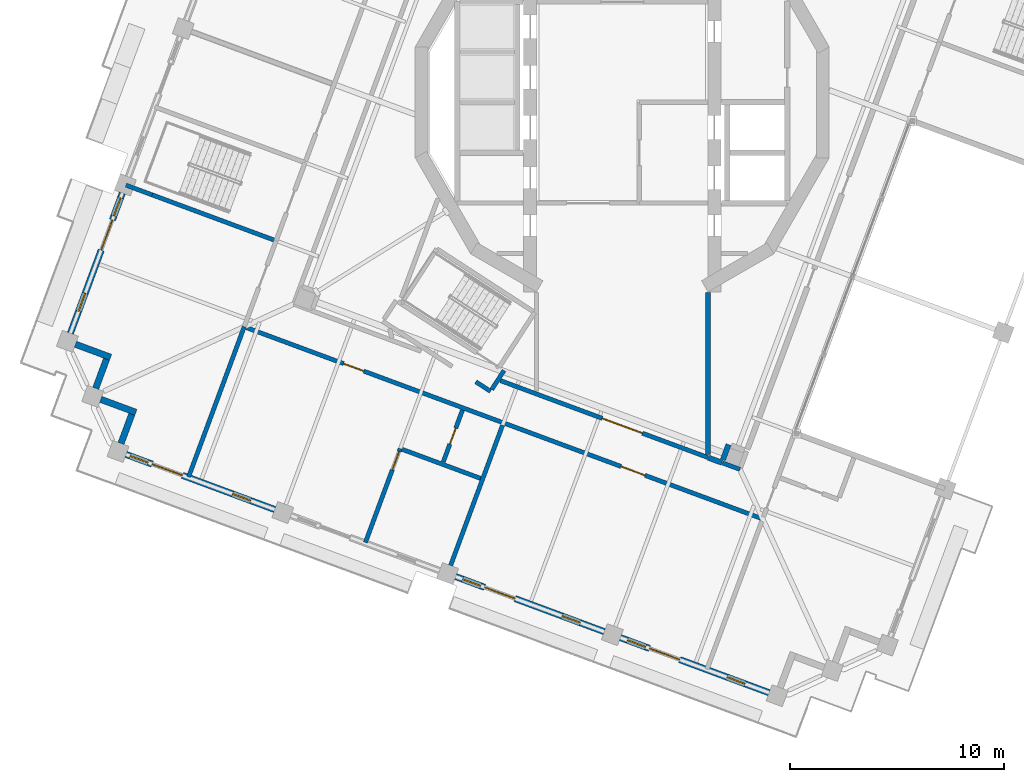
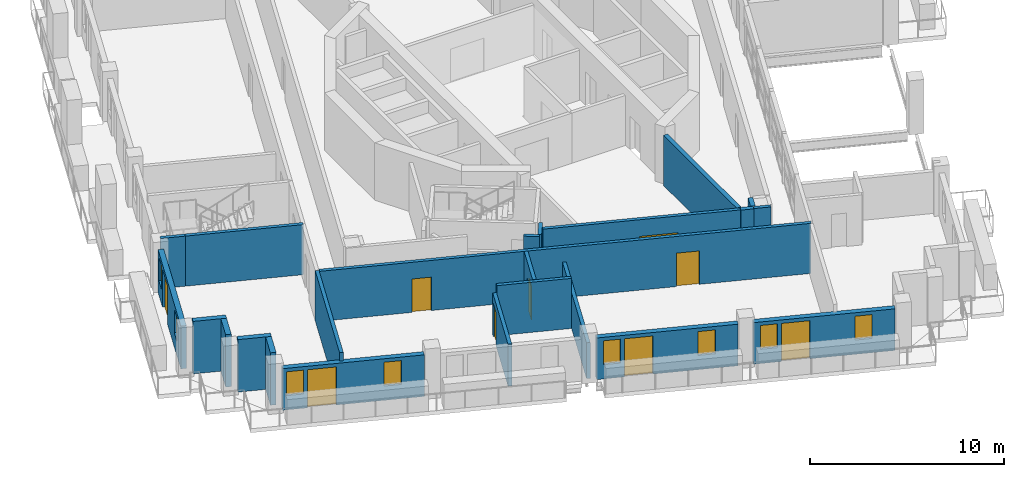
# One storey, part 5 of 19: 23 walls, 9 doors, 8 windows, 17 openings.
"""IFC4 building model written with IfcOpenShell, lengths in metres."""

from ifc_helpers import new_model, si_unit, direction, frame, frame_2d, origin, place, context, subcontext, project, spatial, rectangle, extrude, material, layer, layer_set, type_object, element, fill, save


model = new_model("IFC4")

# Units and contexts
model_context = context("Model", 3, precision=1e-05, world=origin(), true_north=direction((0.0, 1.0)))
body_context = subcontext(model_context, "Body", "Model", "MODEL_VIEW")
ifc_project = project(units=[si_unit("LENGTHUNIT", "METRE"), si_unit("AREAUNIT", "SQUARE_METRE"), si_unit("VOLUMEUNIT", "CUBIC_METRE"), si_unit("PLANEANGLEUNIT", "RADIAN"), si_unit("MASSUNIT", "GRAM", prefix="KILO")], contexts=[model_context])

# Site, building, storey
site_placement = place(None, origin())
site = spatial("IfcSite", under=ifc_project, at=site_placement, CompositionType="ELEMENT")
building_placement = place(site_placement, origin())
building = spatial("IfcBuilding", under=site, at=building_placement, Name="Cantera Rosa Tower", CompositionType="ELEMENT")
storey_placement = place(building_placement, frame((0.0, 0.0, 342.10009765625)))
storey = spatial("IfcBuildingStorey", under=building, at=storey_placement, Name="L77", CompositionType="ELEMENT", Elevation=342.10009765625)

# Wall, openings, doors
ifc_material_1 = material(Name="Gypsum board partition")
ifc_layer_1 = layer(ifc_material_1, 0.199951171875)
ifc_layer_set_1 = layer_set([ifc_layer_1], Name="CORRIDOR WALL 200 H3150")
wall_type_1 = type_object("IfcWallType", Name="CORRIDOR WALL 200 H3150", PredefinedType="PARTITIONING", material=ifc_layer_set_1)
wall_1_placement = place(storey_placement, frame((-17.52587890625, -10.515380859375, 0.0), z_axis=(0.0, 0.0, 1.0), x_axis=(0.937685670384, -0.347484652261, 0.0)))
wall_1 = element("IfcWall", 1, at=wall_1_placement, inside=storey, type_object=wall_type_1, Name="CORRIDOR WALL L77-003", PredefinedType="PARTITIONING", context=body_context, shape_type="SweptSolid", body=[
    extrude(rectangle(XDim=25.679931640625, YDim=0.199951171875, at=frame_2d((12.83984375, 0.0))), origin(), (0.0, 0.0, 1.0), 3.14990234375),
])
opening_1_placement = place(wall_1_placement, frame((18.6298828125, 0.0, 0.0)))
opening_1 = element("IfcOpeningElement", 2, at=opening_1_placement, cuts=wall_1, Name="Opening L77-031", PredefinedType="OPENING", context=body_context, shape_type="SweptSolid", body=[
    extrude(rectangle(XDim=1.199951171875, YDim=2.10009765625, at=frame_2d((0.60009765625, 1.050048828125))), frame((0.0, 0.10986328125, 0.0), z_axis=(0.0, -1.0, 0.0), x_axis=(1.0, 0.0, 0.0)), (0.0, 0.0, 1.0), 0.219970703125),
])
opening_2_placement = place(wall_1_placement, frame((4.830078125, 0.0, 0.0)))
opening_2 = element("IfcOpeningElement", 3, at=opening_2_placement, cuts=wall_1, Name="Opening L77-032", PredefinedType="OPENING", context=body_context, shape_type="SweptSolid", body=[
    extrude(rectangle(XDim=1.0, YDim=2.10009765625, at=frame_2d((0.5, 1.050048828125))), frame((0.0, 0.10986328125, 0.0), z_axis=(0.0, -1.0, 0.0), x_axis=(1.0, 0.0, 0.0)), (0.0, 0.0, 1.0), 0.219970703125),
])
ifc_material_2 = material(Name="Timber door leaf", Category="wood")
door_type_1 = type_object("IfcDoorType", Name="ENTRANCE DOOR 1000x2100", OperationType="NOTDEFINED", PredefinedType="DOOR", material=ifc_material_2)
door_1_placement = place(opening_2_placement, origin())
door_1 = element("IfcDoor", 4, at=door_1_placement, inside=storey, type_object=door_type_1, Name="DOOR L77-032", OperationType="NOTDEFINED", OverallHeight=2.10009765625, OverallWidth=1.0, PredefinedType="DOOR", context=body_context, shape_type="SweptSolid", body=[
    extrude(rectangle(XDim=1.0, YDim=2.10009765625, at=frame_2d((0.5, 1.050048828125))), frame((0.0, 0.02490234375, 0.0), z_axis=(0.0, -1.0, 0.0), x_axis=(1.0, 0.0, 0.0)), (0.0, 0.0, 1.0), 0.050048828125),
])
fill(opening_2, door_1)
ifc_material_3 = material(Name="Timber door leaf", Category="wood")
door_type_2 = type_object("IfcDoorType", Name="ROOM DOOR 1200x2100", OperationType="NOTDEFINED", PredefinedType="DOOR", material=ifc_material_3)
door_2_placement = place(opening_1_placement, origin())
door_2 = element("IfcDoor", 5, at=door_2_placement, inside=storey, type_object=door_type_2, Name="DOOR L77-031", OperationType="NOTDEFINED", OverallHeight=2.10009765625, OverallWidth=1.199951171875, PredefinedType="DOOR", context=body_context, shape_type="SweptSolid", body=[
    extrude(rectangle(XDim=1.199951171875, YDim=2.10009765625, at=frame_2d((0.60009765625, 1.050048828125))), frame((0.0, 0.02490234375, 0.0), z_axis=(0.0, -1.0, 0.0), x_axis=(1.0, 0.0, 0.0)), (0.0, 0.0, 1.0), 0.050048828125),
])
fill(opening_1, door_2)

# Walls
wall_2_placement = place(storey_placement, frame((-6.83251953125, -13.038330078125, 0.0), z_axis=(0.0, 0.0, 1.0), x_axis=(0.838593374038, -0.54475788477, 0.0)))
element("IfcWall", 6, at=wall_2_placement, inside=storey, type_object=wall_type_1, Name="CORRIDOR WALL L77-014", PredefinedType="PARTITIONING", context=body_context, shape_type="SweptSolid", body=[
    extrude(rectangle(XDim=0.8193359375, YDim=0.199951171875, at=frame_2d((0.40966796875, 0.0))), origin(), (0.0, 0.0, 1.0), 3.14990234375),
])
wall_3_placement = place(storey_placement, frame((-6.091064453125, -13.400634765625, 0.0), z_axis=(0.0, 0.0, 1.0), x_axis=(0.544599121385, 0.838696486809, 0.0)))
element("IfcWall", 7, at=wall_3_placement, inside=storey, type_object=wall_type_1, Name="CORRIDOR WALL L77-033", PredefinedType="PARTITIONING", context=body_context, shape_type="SweptSolid", body=[
    extrude(rectangle(XDim=1.058349609375, YDim=0.199951171875, at=frame_2d((0.529296875, 0.0))), origin(), (0.0, 0.0, 1.0), 3.14990234375),
])

# Wall, opening, door
wall_4_placement = place(storey_placement, frame((-5.681396484375, -12.98486328125, 0.0), z_axis=(0.0, 0.0, 1.0), x_axis=(0.937687420186, -0.347479930391, 0.0)))
wall_4 = element("IfcWall", 8, at=wall_4_placement, inside=storey, type_object=wall_type_1, Name="CORRIDOR WALL L77-036", PredefinedType="PARTITIONING", context=body_context, shape_type="SweptSolid", body=[
    extrude(rectangle(XDim=10.32470703125, YDim=0.199951171875, at=frame_2d((5.162353515625, 0.0))), origin(), (0.0, 0.0, 1.0), 3.14990234375),
])
opening_3_placement = place(wall_4_placement, frame((5.05908203125, 0.0, 0.0)))
opening_3 = element("IfcOpeningElement", 9, at=opening_3_placement, cuts=wall_4, Name="Opening L77-011", PredefinedType="OPENING", context=body_context, shape_type="SweptSolid", body=[
    extrude(rectangle(XDim=2.0, YDim=2.10009765625, at=frame_2d((1.0, 1.050048828125))), frame((0.0, 0.10986328125, 0.0), z_axis=(0.0, -1.0, 0.0), x_axis=(1.0, 0.0, 0.0)), (0.0, 0.0, 1.0), 0.219970703125),
])
ifc_material_4 = material(Name="Steel S355J2 (EN 10025-2)", Category="steel")
door_type_3 = type_object("IfcDoorType", Name="LOBBY SCREEN DOOR 2000x2100", OperationType="NOTDEFINED", PredefinedType="DOOR", material=ifc_material_4)
door_3_placement = place(opening_3_placement, origin())
door_3 = element("IfcDoor", 10, at=door_3_placement, inside=storey, type_object=door_type_3, Name="DOOR L77-011", OperationType="NOTDEFINED", OverallHeight=2.10009765625, OverallWidth=2.0, PredefinedType="DOOR", context=body_context, shape_type="SweptSolid", body=[
    extrude(rectangle(XDim=2.0, YDim=2.10009765625, at=frame_2d((1.0, 1.050048828125))), frame((0.0, 0.02490234375, 0.0), z_axis=(0.0, -1.0, 0.0), x_axis=(1.0, 0.0, 0.0)), (0.0, 0.0, 1.0), 0.050048828125),
])
fill(opening_3, door_3)

# Walls
wall_5_placement = place(storey_placement, frame((4.666259765625, -16.819580078125, 0.0), z_axis=(0.0, 0.0, 1.0), x_axis=(0.937735373465, -0.347350499283, 0.0)))
element("IfcWall", 11, at=wall_5_placement, inside=storey, type_object=wall_type_1, Name="CORRIDOR WALL L77-062", PredefinedType="PARTITIONING", context=body_context, shape_type="SweptSolid", body=[
    extrude(rectangle(XDim=0.8798828125, YDim=0.199951171875, at=frame_2d((0.43994140625, 0.0))), origin(), (0.0, 0.0, 1.0), 3.14990234375),
])
ifc_material_5 = material(Name="Hollow clay masonry with cantera stone cladding", Category="masonry")
ifc_layer_2 = layer(ifc_material_5, 0.300048828125)
ifc_layer_set_2 = layer_set([ifc_layer_2], Name="EW-LOGGIA 300")
wall_type_2 = type_object("IfcWallType", Name="EW-LOGGIA 300", PredefinedType="SOLIDWALL", material=ifc_layer_set_2)
wall_6_placement = place(storey_placement, frame((-25.51220703125, -11.288330078125, 0.0), z_axis=(0.0, 0.0, 1.0), x_axis=(0.937669639538, -0.34752790836, 0.0)))
element("IfcWall", 12, at=wall_6_placement, inside=storey, type_object=wall_type_2, Name="EN-L77-W12a", PredefinedType="SOLIDWALL", context=body_context, shape_type="SweptSolid", body=[
    extrude(rectangle(XDim=1.75, YDim=0.300048828125, at=frame_2d((0.875, 0.0))), origin(), (0.0, 0.0, 1.0), 3.2998046875),
])
wall_7_placement = place(storey_placement, frame((-24.06396484375, -11.985107421875, 0.0), z_axis=(0.0, 0.0, 1.0), x_axis=(-0.347522732201, -0.937671557958, 0.0)))
element("IfcWall", 13, at=wall_7_placement, inside=storey, type_object=wall_type_2, Name="EN-L77-W12b", PredefinedType="SOLIDWALL", context=body_context, shape_type="SweptSolid", body=[
    extrude(rectangle(XDim=1.449951171875, YDim=0.300048828125, at=frame_2d((0.72509765625, 0.0))), origin(), (0.0, 0.0, 1.0), 3.2998046875),
])
wall_8_placement = place(storey_placement, frame((-24.331787109375, -13.858642578125, 0.0), z_axis=(0.0, 0.0, 1.0), x_axis=(0.937669639538, -0.34752790836, 0.0)))
element("IfcWall", 14, at=wall_8_placement, inside=storey, type_object=wall_type_2, Name="EN-L77-W13a", PredefinedType="SOLIDWALL", context=body_context, shape_type="SweptSolid", body=[
    extrude(rectangle(XDim=1.75, YDim=0.300048828125, at=frame_2d((0.875, 0.0))), origin(), (0.0, 0.0, 1.0), 3.2998046875),
])
wall_9_placement = place(storey_placement, frame((-22.883544921875, -14.555419921875, 0.0), z_axis=(0.0, 0.0, 1.0), x_axis=(-0.347522732201, -0.937671557958, 0.0)))
element("IfcWall", 15, at=wall_9_placement, inside=storey, type_object=wall_type_2, Name="EN-L77-W13b", PredefinedType="SOLIDWALL", context=body_context, shape_type="SweptSolid", body=[
    extrude(rectangle(XDim=1.449951171875, YDim=0.300048828125, at=frame_2d((0.72509765625, 0.0))), origin(), (0.0, 0.0, 1.0), 3.2998046875),
])

# Wall, openings, windows, door
ifc_material_6 = material(Name="Hollow clay masonry with cantera stone cladding", Category="masonry")
ifc_layer_3 = layer(ifc_material_6, 0.300048828125)
ifc_layer_set_3 = layer_set([ifc_layer_3], Name="EW-LOGGIA 300 H2620")
wall_type_3 = type_object("IfcWallType", Name="EW-LOGGIA 300 H2620", PredefinedType="SOLIDWALL", material=ifc_layer_set_3)
wall_10_placement = place(storey_placement, frame((-23.1513671875, -16.428955078125, 0.0), z_axis=(0.0, 0.0, 1.0), x_axis=(0.937676706507, -0.347508840281, 0.0)))
wall_10 = element("IfcWall", 16, at=wall_10_placement, inside=storey, type_object=wall_type_3, Name="EN-L77-W14", PredefinedType="SOLIDWALL", context=body_context, shape_type="SweptSolid", body=[
    extrude(rectangle(XDim=7.39990234375, YDim=0.300048828125, at=frame_2d((3.699951171875, 0.0))), origin(), (0.0, 0.0, 1.0), 2.619873046875),
])
opening_4_placement = place(wall_10_placement, frame((0.199951171875, 0.0, 0.89990234375)))
opening_4 = element("IfcOpeningElement", 17, at=opening_4_placement, cuts=wall_10, Name="Opening L77-W28", PredefinedType="OPENING", context=body_context, shape_type="SweptSolid", body=[
    extrude(rectangle(XDim=0.89990234375, YDim=1.5, at=frame_2d((0.449951171875, 0.75))), frame((0.0, 0.159912109375, 0.0), z_axis=(0.0, -1.0, 0.0), x_axis=(1.0, 0.0, 0.0)), (0.0, 0.0, 1.0), 0.320068359375),
])
opening_5_placement = place(wall_10_placement, frame((1.300048828125, 0.0, 0.0)))
opening_5 = element("IfcOpeningElement", 18, at=opening_5_placement, cuts=wall_10, Name="Opening L77-TD29", PredefinedType="OPENING", context=body_context, shape_type="SweptSolid", body=[
    extrude(rectangle(XDim=1.5, YDim=2.39990234375, at=frame_2d((0.75, 1.199951171875))), frame((0.0, 0.159912109375, 0.0), z_axis=(0.0, -1.0, 0.0), x_axis=(1.0, 0.0, 0.0)), (0.0, 0.0, 1.0), 0.320068359375),
])
opening_6_placement = place(wall_10_placement, frame((5.300048828125, 0.0, 0.89990234375)))
opening_6 = element("IfcOpeningElement", 19, at=opening_6_placement, cuts=wall_10, Name="Opening L77-W30", PredefinedType="OPENING", context=body_context, shape_type="SweptSolid", body=[
    extrude(rectangle(XDim=0.89990234375, YDim=1.5, at=frame_2d((0.449951171875, 0.75))), frame((0.0, 0.159912109375, 0.0), z_axis=(0.0, -1.0, 0.0), x_axis=(1.0, 0.0, 0.0)), (0.0, 0.0, 1.0), 0.320068359375),
])
ifc_material_7 = material(Name="Aluminium frame with clear glass", Category="aluminium")
window_type = type_object("IfcWindowType", Name="Residential window 900x1500", PartitioningType="SINGLE_PANEL", PredefinedType="WINDOW", material=ifc_material_7)
window_1_placement = place(opening_4_placement, origin())
window_1 = element("IfcWindow", 20, at=window_1_placement, inside=storey, type_object=window_type, Name="WINDOW L77-W28", OverallHeight=1.5, OverallWidth=0.89990234375, PartitioningType="SINGLE_PANEL", PredefinedType="WINDOW", context=body_context, shape_type="SweptSolid", body=[
    extrude(rectangle(XDim=0.89990234375, YDim=1.5, at=frame_2d((0.449951171875, 0.75))), frame((0.0, 0.030029296875, 0.0), z_axis=(0.0, -1.0, 0.0), x_axis=(1.0, 0.0, 0.0)), (0.0, 0.0, 1.0), 0.06005859375),
])
fill(opening_4, window_1)
window_2_placement = place(opening_6_placement, origin())
window_2 = element("IfcWindow", 21, at=window_2_placement, inside=storey, type_object=window_type, Name="WINDOW L77-W30", OverallHeight=1.5, OverallWidth=0.89990234375, PartitioningType="SINGLE_PANEL", PredefinedType="WINDOW", context=body_context, shape_type="SweptSolid", body=[
    extrude(rectangle(XDim=0.89990234375, YDim=1.5, at=frame_2d((0.449951171875, 0.75))), frame((0.0, 0.030029296875, 0.0), z_axis=(0.0, -1.0, 0.0), x_axis=(1.0, 0.0, 0.0)), (0.0, 0.0, 1.0), 0.06005859375),
])
fill(opening_6, window_2)
ifc_material_8 = material(Name="Aluminium frame with clear glass", Category="aluminium")
door_type_4 = type_object("IfcDoorType", Name="TD-R 1500x2400", OperationType="NOTDEFINED", PredefinedType="DOOR", material=ifc_material_8)
door_4_placement = place(opening_5_placement, origin())
door_4 = element("IfcDoor", 22, at=door_4_placement, inside=storey, type_object=door_type_4, Name="LOGGIA DOOR L77-TD29", OperationType="SLIDING_TO_LEFT", OverallHeight=2.39990234375, OverallWidth=1.5, PredefinedType="DOOR", context=body_context, shape_type="SweptSolid", body=[
    extrude(rectangle(XDim=1.5, YDim=2.39990234375, at=frame_2d((0.75, 1.199951171875))), frame((0.0, 0.02490234375, 0.0), z_axis=(0.0, -1.0, 0.0), x_axis=(1.0, 0.0, 0.0)), (0.0, 0.0, 1.0), 0.050048828125),
])
fill(opening_5, door_4)

wall_11_placement = place(storey_placement, frame((-7.7734375, -22.127685546875, 0.0), z_axis=(0.0, 0.0, 1.0), x_axis=(0.937680690562, -0.34749808999, 0.0)))
wall_11 = element("IfcWall", 23, at=wall_11_placement, inside=storey, type_object=wall_type_3, Name="EN-L77-W16", PredefinedType="SOLIDWALL", context=body_context, shape_type="SweptSolid", body=[
    extrude(rectangle(XDim=7.400146484375, YDim=0.300048828125, at=frame_2d((3.7001953125, 0.0))), origin(), (0.0, 0.0, 1.0), 2.619873046875),
])
opening_7_placement = place(wall_11_placement, frame((0.35009765625, 0.0, 0.89990234375)))
opening_7 = element("IfcOpeningElement", 24, at=opening_7_placement, cuts=wall_11, Name="Opening L77-W34", PredefinedType="OPENING", context=body_context, shape_type="SweptSolid", body=[
    extrude(rectangle(XDim=0.89990234375, YDim=1.5, at=frame_2d((0.449951171875, 0.75))), frame((0.0, 0.159912109375, 0.0), z_axis=(0.0, -1.0, 0.0), x_axis=(1.0, 0.0, 0.0)), (0.0, 0.0, 1.0), 0.320068359375),
])
opening_8_placement = place(wall_11_placement, frame((1.449951171875, 0.0, 0.0)))
opening_8 = element("IfcOpeningElement", 25, at=opening_8_placement, cuts=wall_11, Name="Opening L77-TD35", PredefinedType="OPENING", context=body_context, shape_type="SweptSolid", body=[
    extrude(rectangle(XDim=1.5, YDim=2.39990234375, at=frame_2d((0.75, 1.199951171875))), frame((0.0, 0.159912109375, 0.0), z_axis=(0.0, -1.0, 0.0), x_axis=(1.0, 0.0, 0.0)), (0.0, 0.0, 1.0), 0.320068359375),
])
opening_9_placement = place(wall_11_placement, frame((5.300048828125, 0.0, 0.89990234375)))
opening_9 = element("IfcOpeningElement", 26, at=opening_9_placement, cuts=wall_11, Name="Opening L77-W36", PredefinedType="OPENING", context=body_context, shape_type="SweptSolid", body=[
    extrude(rectangle(XDim=0.89990234375, YDim=1.5, at=frame_2d((0.449951171875, 0.75))), frame((0.0, 0.159912109375, 0.0), z_axis=(0.0, -1.0, 0.0), x_axis=(1.0, 0.0, 0.0)), (0.0, 0.0, 1.0), 0.320068359375),
])
window_3_placement = place(opening_7_placement, origin())
window_3 = element("IfcWindow", 27, at=window_3_placement, inside=storey, type_object=window_type, Name="WINDOW L77-W34", OverallHeight=1.5, OverallWidth=0.89990234375, PartitioningType="SINGLE_PANEL", PredefinedType="WINDOW", context=body_context, shape_type="SweptSolid", body=[
    extrude(rectangle(XDim=0.89990234375, YDim=1.5, at=frame_2d((0.449951171875, 0.75))), frame((0.0, 0.030029296875, 0.0), z_axis=(0.0, -1.0, 0.0), x_axis=(1.0, 0.0, 0.0)), (0.0, 0.0, 1.0), 0.06005859375),
])
fill(opening_7, window_3)
window_4_placement = place(opening_9_placement, origin())
window_4 = element("IfcWindow", 28, at=window_4_placement, inside=storey, type_object=window_type, Name="WINDOW L77-W36", OverallHeight=1.5, OverallWidth=0.89990234375, PartitioningType="SINGLE_PANEL", PredefinedType="WINDOW", context=body_context, shape_type="SweptSolid", body=[
    extrude(rectangle(XDim=0.89990234375, YDim=1.5, at=frame_2d((0.449951171875, 0.75))), frame((0.0, 0.030029296875, 0.0), z_axis=(0.0, -1.0, 0.0), x_axis=(1.0, 0.0, 0.0)), (0.0, 0.0, 1.0), 0.06005859375),
])
fill(opening_9, window_4)
door_5_placement = place(opening_8_placement, origin())
door_5 = element("IfcDoor", 29, at=door_5_placement, inside=storey, type_object=door_type_4, Name="LOGGIA DOOR L77-TD35", OperationType="SLIDING_TO_LEFT", OverallHeight=2.39990234375, OverallWidth=1.5, PredefinedType="DOOR", context=body_context, shape_type="SweptSolid", body=[
    extrude(rectangle(XDim=1.5, YDim=2.39990234375, at=frame_2d((0.75, 1.199951171875))), frame((0.0, 0.02490234375, 0.0), z_axis=(0.0, -1.0, 0.0), x_axis=(1.0, 0.0, 0.0)), (0.0, 0.0, 1.0), 0.050048828125),
])
fill(opening_8, door_5)

wall_12_placement = place(storey_placement, frame((-0.084228515625, -24.97705078125, 0.0), z_axis=(0.0, 0.0, 1.0), x_axis=(0.937687456783, -0.347479831633, 0.0)))
wall_12 = element("IfcWall", 30, at=wall_12_placement, inside=storey, type_object=wall_type_3, Name="EN-L77-W17", PredefinedType="SOLIDWALL", context=body_context, shape_type="SweptSolid", body=[
    extrude(rectangle(XDim=7.39990234375, YDim=0.300048828125, at=frame_2d((3.699951171875, 0.0))), origin(), (0.0, 0.0, 1.0), 2.619873046875),
])
opening_10_placement = place(wall_12_placement, frame((0.35009765625, 0.0, 0.89990234375)))
opening_10 = element("IfcOpeningElement", 31, at=opening_10_placement, cuts=wall_12, Name="Opening L77-W37", PredefinedType="OPENING", context=body_context, shape_type="SweptSolid", body=[
    extrude(rectangle(XDim=0.89990234375, YDim=1.5, at=frame_2d((0.449951171875, 0.75))), frame((0.0, 0.159912109375, 0.0), z_axis=(0.0, -1.0, 0.0), x_axis=(1.0, 0.0, 0.0)), (0.0, 0.0, 1.0), 0.320068359375),
])
opening_11_placement = place(wall_12_placement, frame((1.449951171875, 0.0, 0.0)))
opening_11 = element("IfcOpeningElement", 32, at=opening_11_placement, cuts=wall_12, Name="Opening L77-TD38", PredefinedType="OPENING", context=body_context, shape_type="SweptSolid", body=[
    extrude(rectangle(XDim=1.5, YDim=2.39990234375, at=frame_2d((0.75, 1.199951171875))), frame((0.0, 0.159912109375, 0.0), z_axis=(0.0, -1.0, 0.0), x_axis=(1.0, 0.0, 0.0)), (0.0, 0.0, 1.0), 0.320068359375),
])
opening_12_placement = place(wall_12_placement, frame((5.300048828125, 0.0, 0.89990234375)))
opening_12 = element("IfcOpeningElement", 33, at=opening_12_placement, cuts=wall_12, Name="Opening L77-W39", PredefinedType="OPENING", context=body_context, shape_type="SweptSolid", body=[
    extrude(rectangle(XDim=0.89990234375, YDim=1.5, at=frame_2d((0.449951171875, 0.75))), frame((0.0, 0.159912109375, 0.0), z_axis=(0.0, -1.0, 0.0), x_axis=(1.0, 0.0, 0.0)), (0.0, 0.0, 1.0), 0.320068359375),
])
window_5_placement = place(opening_10_placement, origin())
window_5 = element("IfcWindow", 34, at=window_5_placement, inside=storey, type_object=window_type, Name="WINDOW L77-W37", OverallHeight=1.5, OverallWidth=0.89990234375, PartitioningType="SINGLE_PANEL", PredefinedType="WINDOW", context=body_context, shape_type="SweptSolid", body=[
    extrude(rectangle(XDim=0.89990234375, YDim=1.5, at=frame_2d((0.449951171875, 0.75))), frame((0.0, 0.030029296875, 0.0), z_axis=(0.0, -1.0, 0.0), x_axis=(1.0, 0.0, 0.0)), (0.0, 0.0, 1.0), 0.06005859375),
])
fill(opening_10, window_5)
window_6_placement = place(opening_12_placement, origin())
window_6 = element("IfcWindow", 35, at=window_6_placement, inside=storey, type_object=window_type, Name="WINDOW L77-W39", OverallHeight=1.5, OverallWidth=0.89990234375, PartitioningType="SINGLE_PANEL", PredefinedType="WINDOW", context=body_context, shape_type="SweptSolid", body=[
    extrude(rectangle(XDim=0.89990234375, YDim=1.5, at=frame_2d((0.449951171875, 0.75))), frame((0.0, 0.030029296875, 0.0), z_axis=(0.0, -1.0, 0.0), x_axis=(1.0, 0.0, 0.0)), (0.0, 0.0, 1.0), 0.06005859375),
])
fill(opening_12, window_6)
door_6_placement = place(opening_11_placement, origin())
door_6 = element("IfcDoor", 36, at=door_6_placement, inside=storey, type_object=door_type_4, Name="LOGGIA DOOR L77-TD38", OperationType="SLIDING_TO_LEFT", OverallHeight=2.39990234375, OverallWidth=1.5, PredefinedType="DOOR", context=body_context, shape_type="SweptSolid", body=[
    extrude(rectangle(XDim=1.5, YDim=2.39990234375, at=frame_2d((0.75, 1.199951171875))), frame((0.0, 0.02490234375, 0.0), z_axis=(0.0, -1.0, 0.0), x_axis=(1.0, 0.0, 0.0)), (0.0, 0.0, 1.0), 0.050048828125),
])
fill(opening_11, door_6)

ifc_material_9 = material(Name="Hollow clay masonry with cantera stone cladding", Category="masonry")
ifc_layer_4 = layer(ifc_material_9, 0.300048828125)
ifc_layer_set_4 = layer_set([ifc_layer_4], Name="EW-LOGGIA 300 H2690")
wall_type_4 = type_object("IfcWallType", Name="EW-LOGGIA 300 H2690", PredefinedType="SOLIDWALL", material=ifc_layer_set_4)
wall_13_placement = place(storey_placement, frame((-23.322998046875, -4.229248046875, 0.0), z_axis=(0.0, 0.0, 1.0), x_axis=(-0.347460165909, -0.937694744097, 0.0)))
wall_13 = element("IfcWall", 37, at=wall_13_placement, inside=storey, type_object=wall_type_4, Name="EN-L77-W11", PredefinedType="SOLIDWALL", context=body_context, shape_type="SweptSolid", body=[
    extrude(rectangle(XDim=6.97998046875, YDim=0.300048828125, at=frame_2d((3.489990234375, 0.0))), origin(), (0.0, 0.0, 1.0), 2.68994140625),
])
opening_13_placement = place(wall_13_placement, frame((0.2451171875, 0.0, 0.89990234375)))
opening_13 = element("IfcOpeningElement", 38, at=opening_13_placement, cuts=wall_13, Name="Opening L77-W25", PredefinedType="OPENING", context=body_context, shape_type="SweptSolid", body=[
    extrude(rectangle(XDim=0.89990234375, YDim=1.5, at=frame_2d((0.449951171875, 0.75))), frame((0.0, 0.159912109375, 0.0), z_axis=(0.0, -1.0, 0.0), x_axis=(1.0, 0.0, 0.0)), (0.0, 0.0, 1.0), 0.320068359375),
])
opening_14_placement = place(wall_13_placement, frame((1.344970703125, 0.0, 0.0)))
opening_14 = element("IfcOpeningElement", 39, at=opening_14_placement, cuts=wall_13, Name="Opening L77-TD26", PredefinedType="OPENING", context=body_context, shape_type="SweptSolid", body=[
    extrude(rectangle(XDim=1.5, YDim=2.39990234375, at=frame_2d((0.75, 1.199951171875))), frame((0.0, 0.159912109375, 0.0), z_axis=(0.0, -1.0, 0.0), x_axis=(1.0, 0.0, 0.0)), (0.0, 0.0, 1.0), 0.320068359375),
])
opening_15_placement = place(wall_13_placement, frame((4.985107421875, 0.0, 0.89990234375)))
opening_15 = element("IfcOpeningElement", 40, at=opening_15_placement, cuts=wall_13, Name="Opening L77-W27", PredefinedType="OPENING", context=body_context, shape_type="SweptSolid", body=[
    extrude(rectangle(XDim=0.89990234375, YDim=1.5, at=frame_2d((0.449951171875, 0.75))), frame((0.0, 0.159912109375, 0.0), z_axis=(0.0, -1.0, 0.0), x_axis=(1.0, 0.0, 0.0)), (0.0, 0.0, 1.0), 0.320068359375),
])
window_7_placement = place(opening_13_placement, origin())
window_7 = element("IfcWindow", 41, at=window_7_placement, inside=storey, type_object=window_type, Name="WINDOW L77-W25", OverallHeight=1.5, OverallWidth=0.89990234375, PartitioningType="SINGLE_PANEL", PredefinedType="WINDOW", context=body_context, shape_type="SweptSolid", body=[
    extrude(rectangle(XDim=0.89990234375, YDim=1.5, at=frame_2d((0.449951171875, 0.75))), frame((0.0, 0.030029296875, 0.0), z_axis=(0.0, -1.0, 0.0), x_axis=(1.0, 0.0, 0.0)), (0.0, 0.0, 1.0), 0.06005859375),
])
fill(opening_13, window_7)
window_8_placement = place(opening_15_placement, origin())
window_8 = element("IfcWindow", 42, at=window_8_placement, inside=storey, type_object=window_type, Name="WINDOW L77-W27", OverallHeight=1.5, OverallWidth=0.89990234375, PartitioningType="SINGLE_PANEL", PredefinedType="WINDOW", context=body_context, shape_type="SweptSolid", body=[
    extrude(rectangle(XDim=0.89990234375, YDim=1.5, at=frame_2d((0.449951171875, 0.75))), frame((0.0, 0.030029296875, 0.0), z_axis=(0.0, -1.0, 0.0), x_axis=(1.0, 0.0, 0.0)), (0.0, 0.0, 1.0), 0.06005859375),
])
fill(opening_15, window_8)
door_7_placement = place(opening_14_placement, origin())
door_7 = element("IfcDoor", 43, at=door_7_placement, inside=storey, type_object=door_type_4, Name="LOGGIA DOOR L77-TD26", OperationType="SLIDING_TO_LEFT", OverallHeight=2.39990234375, OverallWidth=1.5, PredefinedType="DOOR", context=body_context, shape_type="SweptSolid", body=[
    extrude(rectangle(XDim=1.5, YDim=2.39990234375, at=frame_2d((0.75, 1.199951171875))), frame((0.0, 0.02490234375, 0.0), z_axis=(0.0, -1.0, 0.0), x_axis=(1.0, 0.0, 0.0)), (0.0, 0.0, 1.0), 0.050048828125),
])
fill(opening_14, door_7)

# Wall, opening, door
ifc_material_10 = material(Name="Gypsum board partition")
ifc_layer_5 = layer(ifc_material_10, 0.199951171875)
ifc_layer_set_5 = layer_set([ifc_layer_5], Name="PARTITION 200 H2650")
wall_type_5 = type_object("IfcWallType", Name="PARTITION 200 H2650", PredefinedType="PARTITIONING", material=ifc_layer_set_5)
wall_14_placement = place(storey_placement, frame((-11.982421875, -20.535888671875, 0.0), z_axis=(0.0, 0.0, 1.0), x_axis=(0.347453975961, 0.937697037741, 0.0)))
wall_14 = element("IfcWall", 44, at=wall_14_placement, inside=storey, type_object=wall_type_5, Name="PARTITION L77-012", PredefinedType="PARTITIONING", context=body_context, shape_type="SweptSolid", body=[
    extrude(rectangle(XDim=4.669921875, YDim=0.199951171875, at=frame_2d((2.3349609375, 0.0))), origin(), (0.0, 0.0, 1.0), 2.64990234375),
])
opening_16_placement = place(wall_14_placement, frame((3.6201171875, 0.0, 0.0)))
opening_16 = element("IfcOpeningElement", 45, at=opening_16_placement, cuts=wall_14, Name="Opening L77-034", PredefinedType="OPENING", context=body_context, shape_type="SweptSolid", body=[
    extrude(rectangle(XDim=0.89990234375, YDim=2.10009765625, at=frame_2d((0.449951171875, 1.050048828125))), frame((0.0, 0.10986328125, 0.0), z_axis=(0.0, -1.0, 0.0), x_axis=(1.0, 0.0, 0.0)), (0.0, 0.0, 1.0), 0.219970703125),
])
ifc_material_11 = material(Name="Timber door leaf", Category="wood")
door_type_5 = type_object("IfcDoorType", Name="ROOM DOOR 900x2100", OperationType="NOTDEFINED", PredefinedType="DOOR", material=ifc_material_11)
door_8_placement = place(opening_16_placement, origin())
door_8 = element("IfcDoor", 46, at=door_8_placement, inside=storey, type_object=door_type_5, Name="DOOR L77-034", OperationType="NOTDEFINED", OverallHeight=2.10009765625, OverallWidth=0.89990234375, PredefinedType="DOOR", context=body_context, shape_type="SweptSolid", body=[
    extrude(rectangle(XDim=0.89990234375, YDim=2.10009765625, at=frame_2d((0.449951171875, 1.050048828125))), frame((0.0, 0.02490234375, 0.0), z_axis=(0.0, -1.0, 0.0), x_axis=(1.0, 0.0, 0.0)), (0.0, 0.0, 1.0), 0.050048828125),
])
fill(opening_16, door_8)

# Wall
ifc_material_12 = material(Name="Gypsum board partition")
ifc_layer_6 = layer(ifc_material_12, 0.199951171875)
ifc_layer_set_6 = layer_set([ifc_layer_6], Name="PARTITION 200 H3150")
wall_type_6 = type_object("IfcWallType", Name="PARTITION 200 H3150", PredefinedType="PARTITIONING", material=ifc_layer_set_6)
wall_15_placement = place(storey_placement, frame((-10.26611328125, -16.191650390625, 0.0), z_axis=(0.0, 0.0, 1.0), x_axis=(0.93769060639, -0.347471332181, 0.0)))
element("IfcWall", 47, at=wall_15_placement, inside=storey, type_object=wall_type_6, Name="PARTITION L77-019", PredefinedType="PARTITIONING", context=body_context, shape_type="SweptSolid", body=[
    extrude(rectangle(XDim=3.900146484375, YDim=0.199951171875, at=frame_2d((1.9501953125, 0.0))), origin(), (0.0, 0.0, 1.0), 3.14990234375),
])

# Wall, opening, door
wall_16_placement = place(storey_placement, frame((-8.348876953125, -16.774169921875, 0.0), z_axis=(0.0, 0.0, 1.0), x_axis=(0.34748078016, 0.937687105286, 0.0)))
wall_16 = element("IfcWall", 48, at=wall_16_placement, inside=storey, type_object=wall_type_6, Name="PARTITION L77-024", PredefinedType="PARTITIONING", context=body_context, shape_type="SweptSolid", body=[
    extrude(rectangle(XDim=2.579833984375, YDim=0.199951171875, at=frame_2d((1.2900390625, 0.0))), origin(), (0.0, 0.0, 1.0), 3.14990234375),
])
opening_17_placement = place(wall_16_placement, frame((0.8798828125, 0.0, 0.0)))
opening_17 = element("IfcOpeningElement", 49, at=opening_17_placement, cuts=wall_16, Name="Opening L77-033", PredefinedType="OPENING", context=body_context, shape_type="SweptSolid", body=[
    extrude(rectangle(XDim=0.800048828125, YDim=2.10009765625, at=frame_2d((0.39990234375, 1.050048828125))), frame((0.0, 0.10986328125, 0.0), z_axis=(0.0, -1.0, 0.0), x_axis=(1.0, 0.0, 0.0)), (0.0, 0.0, 1.0), 0.219970703125),
])
ifc_material_13 = material(Name="Timber door leaf", Category="wood")
door_type_6 = type_object("IfcDoorType", Name="BATHROOM DOOR 800x2100", OperationType="NOTDEFINED", PredefinedType="DOOR", material=ifc_material_13)
door_9_placement = place(opening_17_placement, origin())
door_9 = element("IfcDoor", 50, at=door_9_placement, inside=storey, type_object=door_type_6, Name="DOOR L77-033", OperationType="NOTDEFINED", OverallHeight=2.10009765625, OverallWidth=0.800048828125, PredefinedType="DOOR", context=body_context, shape_type="SweptSolid", body=[
    extrude(rectangle(XDim=0.800048828125, YDim=2.10009765625, at=frame_2d((0.39990234375, 1.050048828125))), frame((0.0, 0.02490234375, 0.0), z_axis=(0.0, -1.0, 0.0), x_axis=(1.0, 0.0, 0.0)), (0.0, 0.0, 1.0), 0.050048828125),
])
fill(opening_17, door_9)

# Walls
ifc_material_14 = material(Name="Gypsum board partition")
ifc_layer_7 = layer(ifc_material_14, 0.199951171875)
ifc_layer_set_7 = layer_set([ifc_layer_7], Name="PARTY WALL 200 H2250")
wall_type_7 = type_object("IfcWallType", Name="PARTY WALL 200 H2250", PredefinedType="PARTITIONING", material=ifc_layer_set_7)
wall_17_placement = place(storey_placement, frame((-5.583984375, -15.068603515625, 0.0), z_axis=(0.0, 0.0, 1.0), x_axis=(-0.347473379308, -0.937689847803, 0.0)))
element("IfcWall", 51, at=wall_17_placement, inside=storey, type_object=wall_type_7, Name="PARTY WALL L77-038", PredefinedType="PARTITIONING", context=body_context, shape_type="SweptSolid", body=[
    extrude(rectangle(XDim=7.35009765625, YDim=0.199951171875, at=frame_2d((3.675048828125, 0.0))), origin(), (0.0, 0.0, 1.0), 2.25),
])
ifc_material_15 = material(Name="Gypsum board partition")
ifc_layer_8 = layer(ifc_material_15, 0.199951171875)
ifc_layer_set_8 = layer_set([ifc_layer_8], Name="PARTY WALL 200 H3150")
wall_type_8 = type_object("IfcWallType", Name="PARTY WALL 200 H3150", PredefinedType="PARTITIONING", material=ifc_layer_set_8)
wall_18_placement = place(storey_placement, frame((-17.638427734375, -10.4736328125, 0.0), z_axis=(0.0, 0.0, 1.0), x_axis=(-0.347488923611, -0.937684087509, 0.0)))
element("IfcWall", 52, at=wall_18_placement, inside=storey, type_object=wall_type_8, Name="PARTY WALL L77-002", PredefinedType="PARTITIONING", context=body_context, shape_type="SweptSolid", body=[
    extrude(rectangle(XDim=7.469970703125, YDim=0.199951171875, at=frame_2d((3.73486328125, 0.0))), origin(), (0.0, 0.0, 1.0), 3.14990234375),
])
ifc_material_16 = material(Name="Masonry blockwork", Category="masonry")
ifc_layer_9 = layer(ifc_material_16, 0.25)
ifc_layer_set_9 = layer_set([ifc_layer_9], Name="SHAFT WALL 250 H3150")
wall_type_9 = type_object("IfcWallType", Name="SHAFT WALL 250 H3150", PredefinedType="SOLIDWALL", material=ifc_layer_set_9)
wall_19_placement = place(storey_placement, frame((4.0, -16.4326171875, 0.0), z_axis=(0.0, 0.0, 1.0), x_axis=(0.0, 1.0, 0.0)))
element("IfcWall", 53, at=wall_19_placement, inside=storey, type_object=wall_type_9, Name="SHAFT WALL L77-057", PredefinedType="SOLIDWALL", context=body_context, shape_type="SweptSolid", body=[
    extrude(rectangle(XDim=7.5537109375, YDim=0.25, at=frame_2d((3.77685546875, 0.0))), origin(), (0.0, 0.0, 1.0), 3.14990234375),
])
wall_20_placement = place(storey_placement, frame((4.018798828125, -16.57958984375, 0.0), z_axis=(0.0, 0.0, 1.0), x_axis=(0.937713613764, -0.347409237876, 0.0)))
element("IfcWall", 54, at=wall_20_placement, inside=storey, type_object=wall_type_9, Name="SHAFT WALL L77-058", PredefinedType="SOLIDWALL", context=body_context, shape_type="SweptSolid", body=[
    extrude(rectangle(XDim=0.67041015625, YDim=0.25, at=frame_2d((0.335205078125, 0.0))), origin(), (0.0, 0.0, 1.0), 3.14990234375),
])
wall_21_placement = place(storey_placement, frame((4.960205078125, -15.96875, 0.0), z_axis=(0.0, 0.0, 1.0), x_axis=(-0.347282965849, -0.937760386043, 0.0)))
element("IfcWall", 55, at=wall_21_placement, inside=storey, type_object=wall_type_9, Name="SHAFT WALL L77-064", PredefinedType="SOLIDWALL", context=body_context, shape_type="SweptSolid", body=[
    extrude(rectangle(XDim=0.760009765625, YDim=0.25, at=frame_2d((0.3798828125, 0.0))), origin(), (0.0, 0.0, 1.0), 3.14990234375),
])
ifc_material_17 = material(Name="Concrete C50/60", Category="concrete")
ifc_layer_10 = layer(ifc_material_17, 0.199951171875)
ifc_layer_set_10 = layer_set([ifc_layer_10], Name="STAIR WALL 200 H3150")
wall_type_10 = type_object("IfcWallType", Name="STAIR WALL 200 H3150", PredefinedType="SOLIDWALL", material=ifc_layer_set_10)
wall_22_placement = place(storey_placement, frame((-23.15576171875, -3.864501953125, 0.0), z_axis=(0.0, 0.0, 1.0), x_axis=(0.937642248704, -0.347601802994, 0.0)))
element("IfcWall", 56, at=wall_22_placement, inside=storey, type_object=wall_type_10, Name="STAIR WALL L77-001", PredefinedType="SOLIDWALL", context=body_context, shape_type="SweptSolid", body=[
    extrude(rectangle(XDim=1.300048828125, YDim=0.199951171875, at=frame_2d((0.64990234375, 0.0))), origin(), (0.0, 0.0, 1.0), 3.14990234375),
])
wall_23_placement = place(storey_placement, frame((-21.936767578125, -4.31640625, 0.0), z_axis=(0.0, 0.0, 1.0), x_axis=(0.937692901762, -0.347465137797, 0.0)))
element("IfcWall", 57, at=wall_23_placement, inside=storey, type_object=wall_type_10, Name="STAIR WALL L77-001 J", PredefinedType="SOLIDWALL", context=body_context, shape_type="SweptSolid", body=[
    extrude(rectangle(XDim=6.169921875, YDim=0.199951171875, at=frame_2d((3.0849609375, 0.0))), origin(), (0.0, 0.0, 1.0), 3.14990234375),
])

save(model, "model.ifc")
